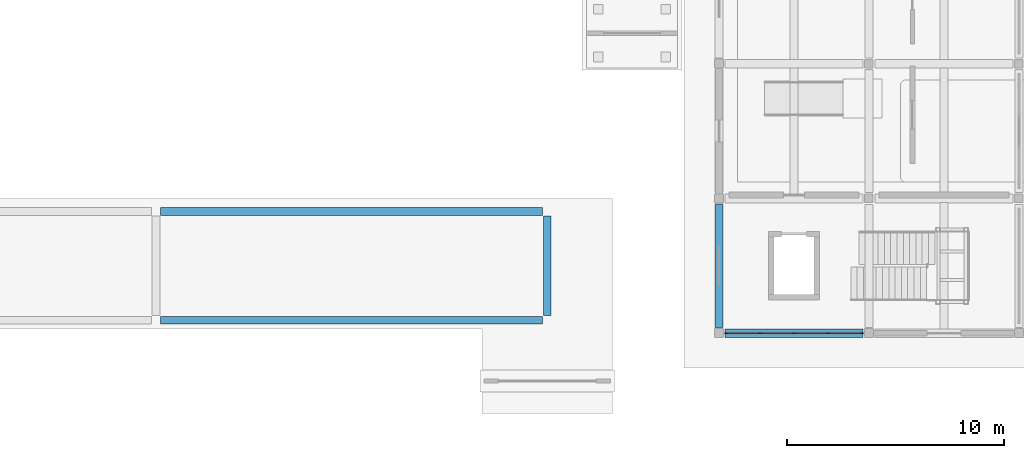
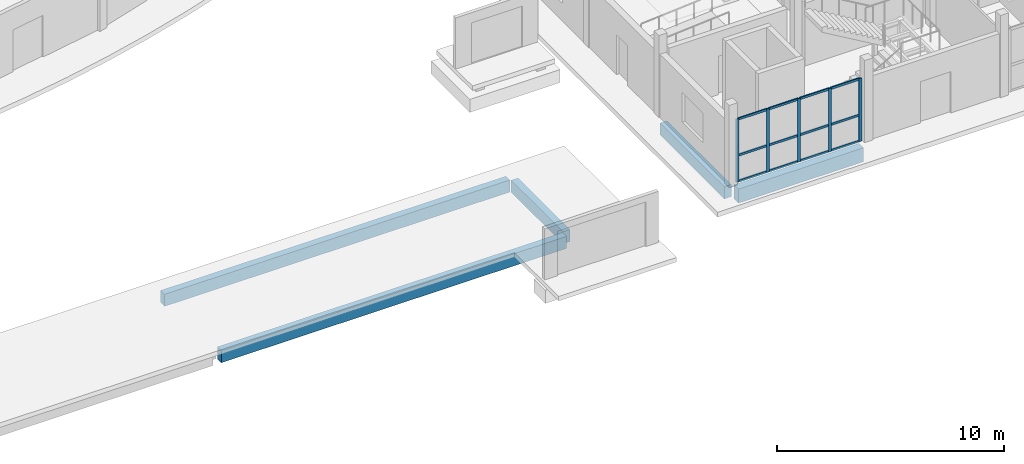
# One storey, part 30 of 92: 17 members, 5 beams, 1 element without a shape of its own.
"""IFC4 building model written with IfcOpenShell, lengths in metres."""

from ifc_helpers import new_model, si_unit, direction, frame, origin, origin_2d, place, context, subcontext, project, spatial, rectangle, extrude, material, layer, layer_set, material_profile, profile_set, type_object, element, aggregate, save


model = new_model("IFC4")

# Units and contexts
model_context = context("Model", 3, precision=1e-05, world=origin(), true_north=direction((0.0, 1.0)))
body_context = subcontext(model_context, "Body", "Model", "MODEL_VIEW")
ifc_project = project(units=[si_unit("LENGTHUNIT", "METRE"), si_unit("AREAUNIT", "SQUARE_METRE"), si_unit("VOLUMEUNIT", "CUBIC_METRE"), si_unit("PLANEANGLEUNIT", "RADIAN"), si_unit("MASSUNIT", "GRAM", prefix="KILO")], contexts=[model_context])

# Site, building, storey
site_placement = place(None, origin())
site = spatial("IfcSite", under=ifc_project, at=site_placement, CompositionType="ELEMENT")
building_placement = place(site_placement, origin())
building = spatial("IfcBuilding", under=site, at=building_placement, Name="Caldaven Crescent School", CompositionType="ELEMENT")
storey_placement = place(building_placement, origin())
storey = spatial("IfcBuildingStorey", under=building, at=storey_placement, Name="L00", CompositionType="ELEMENT", Elevation=0.0)

# Beams
ifc_material_1 = material(Name="Concrete C30/37", Category="concrete")
ifc_material_profile_1 = material_profile(ifc_material_1, rectangle(XDim=0.35009765625, YDim=0.64990234375, at=origin_2d()), Name="RC 350x650")
ifc_profile_set_1 = profile_set([ifc_material_profile_1], Name="Concrete C30/37")
beam_type_1 = type_object("IfcBeamType", Name="BM-RC35", PredefinedType="BEAM", material=ifc_profile_set_1)
beam_1_placement = place(storey_placement, frame((122.89990234375, 4.469970703125, -0.5849609375), z_axis=(0.0, 1.0, 0.0), x_axis=(-1.0, 0.0, 0.0)))
element("IfcBeam", 1, at=beam_1_placement, inside=storey, type_object=beam_type_1, Name="BMY-V3-L00-0438", PredefinedType="BEAM", context=body_context, shape_type="SweptSolid", body=[
    extrude(rectangle(XDim=0.35009765625, YDim=0.64990234375, at=origin_2d()), origin(), (0.0, 0.0, 1.0), 5.659912109375),
])
beam_2_placement = place(storey_placement, frame((115.0, 5.010009765625, -0.56494140625), z_axis=(0.0, 1.0, 0.0), x_axis=(-1.0, 0.0, 0.0)))
element("IfcBeam", 2, at=beam_2_placement, inside=storey, type_object=beam_type_1, Name="BM-LOOP-Y-L00-1837", PredefinedType="BEAM", context=body_context, shape_type="SweptSolid", body=[
    extrude(rectangle(XDim=0.35009765625, YDim=0.64990234375, at=origin_2d()), origin(), (0.0, 0.0, 1.0), 4.580078125),
])
for number, where, z_axis, x_axis, name in (
    (3, (97.2099609375, 4.800048828125, -0.56494140625), (1.0, 0.0, 0.0), (0.0, 1.0, 0.0), "BM-LOOP-X-L00-1842"),
    (4, (97.2099609375, 9.800048828125, -0.56494140625), (1.0, 0.0, 0.0), (0.0, 1.0, 0.0), "BM-LOOP-X-L00-1843"),
):
    element("IfcBeam", number, at=place(storey_placement, frame(where, z_axis=z_axis, x_axis=x_axis)), inside=storey, type_object=beam_type_1, Name=name, PredefinedType="BEAM", context=body_context, shape_type="SweptSolid", body=[
        extrude(rectangle(XDim=0.35009765625, YDim=0.64990234375, at=origin_2d()), origin(), (0.0, 0.0, 1.0), 17.580078125),
    ])
ifc_material_2 = material(Name="Concrete C35/45", Category="concrete")
ifc_material_profile_2 = material_profile(ifc_material_2, rectangle(XDim=0.39990234375, YDim=0.75, at=origin_2d()), Name="RC 400x750")
ifc_profile_set_2 = profile_set([ifc_material_profile_2], Name="Concrete C35/45")
beam_type_2 = type_object("IfcBeamType", Name="BM-RC40", PredefinedType="BEAM", material=ifc_profile_set_2)
beam_3_placement = place(storey_placement, frame((123.169921875, 4.199951171875, -0.635009765625), z_axis=(1.0, 0.0, 0.0), x_axis=(0.0, 1.0, 0.0)))
element("IfcBeam", 5, at=beam_3_placement, inside=storey, type_object=beam_type_2, Name="BMX-V3-L00-0422", PredefinedType="BEAM", context=body_context, shape_type="SweptSolid", body=[
    extrude(rectangle(XDim=0.39990234375, YDim=0.75, at=origin_2d()), origin(), (0.0, 0.0, 1.0), 6.360107421875),
])

# Curtain wall, members
ifc_material_3 = material(Name="Anodised aluminium AA 6063-T6 and low-E double glazing", Category="aluminium")
ifc_layer = layer(ifc_material_3, 0.169921875)
ifc_layer_set = layer_set([ifc_layer], Name="Anodised aluminium AA 6063-T6 and low-E double glazing")
curtain_wall_type = type_object("IfcCurtainWallType", Name="CW-SYS1", PredefinedType="NOTDEFINED", material=ifc_layer_set)
curtain_wall_placement = place(storey_placement, origin())
curtain_wall = element("IfcCurtainWall", 6, at=curtain_wall_placement, inside=storey, type_object=curtain_wall_type, Name="CW-L00-081", PredefinedType="NOTDEFINED")
ifc_material_4 = material(Name="Anodised aluminium AA 6063-T6", Category="aluminium")
ifc_material_profile_3 = material_profile(ifc_material_4, rectangle(XDim=0.06005859375, YDim=0.14990234375, at=origin_2d()), Name="CWM 60x150")
ifc_profile_set_3 = profile_set([ifc_material_profile_3], Name="Anodised aluminium AA 6063-T6")
member_type_1 = type_object("IfcMemberType", Name="CWM-T1", PredefinedType="MULLION", material=ifc_profile_set_3)
member_1_placement = place(storey_placement, frame((123.22998046875, 4.199951171875, 0.0), z_axis=(0.0, 0.0, 1.0), x_axis=(0.0, 1.0, 0.0)))
member_1 = element("IfcMember", 7, at=member_1_placement, type_object=member_type_1, Name="CW1 mullion 1", PredefinedType="MULLION", context=body_context, shape_type="SweptSolid", body=[
    extrude(rectangle(XDim=0.06005859375, YDim=0.14990234375, at=origin_2d()), origin(), (0.0, 0.0, 1.0), 3.39990234375),
])
member_2_placement = place(storey_placement, frame((124.77490234375, 4.199951171875, 0.0), z_axis=(0.0, 0.0, 1.0), x_axis=(0.0, 1.0, 0.0)))
member_2 = element("IfcMember", 8, at=member_2_placement, type_object=member_type_1, Name="CW1 mullion 2", PredefinedType="MULLION", context=body_context, shape_type="SweptSolid", body=[
    extrude(rectangle(XDim=0.06005859375, YDim=0.14990234375, at=origin_2d()), origin(), (0.0, 0.0, 1.0), 3.39990234375),
])
member_3_placement = place(storey_placement, frame((126.35009765625, 4.199951171875, 0.0), z_axis=(0.0, 0.0, 1.0), x_axis=(0.0, 1.0, 0.0)))
member_3 = element("IfcMember", 9, at=member_3_placement, type_object=member_type_1, Name="CW1 mullion 3", PredefinedType="MULLION", context=body_context, shape_type="SweptSolid", body=[
    extrude(rectangle(XDim=0.06005859375, YDim=0.14990234375, at=origin_2d()), origin(), (0.0, 0.0, 1.0), 3.39990234375),
])
member_4_placement = place(storey_placement, frame((127.925048828125, 4.199951171875, 0.0), z_axis=(0.0, 0.0, 1.0), x_axis=(0.0, 1.0, 0.0)))
member_4 = element("IfcMember", 10, at=member_4_placement, type_object=member_type_1, Name="CW1 mullion 4", PredefinedType="MULLION", context=body_context, shape_type="SweptSolid", body=[
    extrude(rectangle(XDim=0.06005859375, YDim=0.14990234375, at=origin_2d()), origin(), (0.0, 0.0, 1.0), 3.39990234375),
])
member_5_placement = place(storey_placement, frame((129.469970703125, 4.199951171875, 0.0), z_axis=(0.0, 0.0, 1.0), x_axis=(0.0, 1.0, 0.0)))
member_5 = element("IfcMember", 11, at=member_5_placement, type_object=member_type_1, Name="CW1 mullion 5", PredefinedType="MULLION", context=body_context, shape_type="SweptSolid", body=[
    extrude(rectangle(XDim=0.06005859375, YDim=0.14990234375, at=origin_2d()), origin(), (0.0, 0.0, 1.0), 3.39990234375),
])
ifc_material_profile_4 = material_profile(ifc_material_4, rectangle(XDim=0.06005859375, YDim=0.1201171875, at=origin_2d()), Name="CWT 60x120")
ifc_profile_set_4 = profile_set([ifc_material_profile_4], Name="Anodised aluminium AA 6063-T6")
member_type_2 = type_object("IfcMemberType", Name="CWT-T1", PredefinedType="USERDEFINED", material=ifc_profile_set_4)
member_6_placement = place(storey_placement, frame((123.260009765625, 4.199951171875, 0.030029296875), z_axis=(1.0, 0.0, 0.0), x_axis=(0.0, 1.0, 0.0)))
member_6 = element("IfcMember", 12, at=member_6_placement, type_object=member_type_2, Name="CW1 transom 1.1", ObjectType="TRANSOM", PredefinedType="USERDEFINED", context=body_context, shape_type="SweptSolid", body=[
    extrude(rectangle(XDim=0.06005859375, YDim=0.1201171875, at=origin_2d()), origin(), (0.0, 0.0, 1.0), 1.485107421875),
])
member_7_placement = place(storey_placement, frame((123.260009765625, 4.199951171875, 1.427978515625), z_axis=(1.0, 0.0, 0.0), x_axis=(0.0, 1.0, 0.0)))
member_7 = element("IfcMember", 13, at=member_7_placement, type_object=member_type_2, Name="CW1 transom 1.2", ObjectType="TRANSOM", PredefinedType="USERDEFINED", context=body_context, shape_type="SweptSolid", body=[
    extrude(rectangle(XDim=0.06005859375, YDim=0.1201171875, at=origin_2d()), origin(), (0.0, 0.0, 1.0), 1.485107421875),
])
member_8_placement = place(storey_placement, frame((123.260009765625, 4.199951171875, 3.3701171875), z_axis=(1.0, 0.0, 0.0), x_axis=(0.0, 1.0, 0.0)))
member_8 = element("IfcMember", 14, at=member_8_placement, type_object=member_type_2, Name="CW1 transom 1.3", ObjectType="TRANSOM", PredefinedType="USERDEFINED", context=body_context, shape_type="SweptSolid", body=[
    extrude(rectangle(XDim=0.06005859375, YDim=0.1201171875, at=origin_2d()), origin(), (0.0, 0.0, 1.0), 1.485107421875),
])
member_9_placement = place(storey_placement, frame((124.804931640625, 4.199951171875, 0.030029296875), z_axis=(1.0, 0.0, 0.0), x_axis=(0.0, 1.0, 0.0)))
member_9 = element("IfcMember", 15, at=member_9_placement, type_object=member_type_2, Name="CW1 transom 2.1", ObjectType="TRANSOM", PredefinedType="USERDEFINED", context=body_context, shape_type="SweptSolid", body=[
    extrude(rectangle(XDim=0.06005859375, YDim=0.1201171875, at=origin_2d()), origin(), (0.0, 0.0, 1.0), 1.51513671875),
])
member_10_placement = place(storey_placement, frame((124.804931640625, 4.199951171875, 1.427978515625), z_axis=(1.0, 0.0, 0.0), x_axis=(0.0, 1.0, 0.0)))
member_10 = element("IfcMember", 16, at=member_10_placement, type_object=member_type_2, Name="CW1 transom 2.2", ObjectType="TRANSOM", PredefinedType="USERDEFINED", context=body_context, shape_type="SweptSolid", body=[
    extrude(rectangle(XDim=0.06005859375, YDim=0.1201171875, at=origin_2d()), origin(), (0.0, 0.0, 1.0), 1.51513671875),
])
member_11_placement = place(storey_placement, frame((124.804931640625, 4.199951171875, 3.3701171875), z_axis=(1.0, 0.0, 0.0), x_axis=(0.0, 1.0, 0.0)))
member_11 = element("IfcMember", 17, at=member_11_placement, type_object=member_type_2, Name="CW1 transom 2.3", ObjectType="TRANSOM", PredefinedType="USERDEFINED", context=body_context, shape_type="SweptSolid", body=[
    extrude(rectangle(XDim=0.06005859375, YDim=0.1201171875, at=origin_2d()), origin(), (0.0, 0.0, 1.0), 1.51513671875),
])
member_12_placement = place(storey_placement, frame((126.3798828125, 4.199951171875, 0.030029296875), z_axis=(1.0, 0.0, 0.0), x_axis=(0.0, 1.0, 0.0)))
member_12 = element("IfcMember", 18, at=member_12_placement, type_object=member_type_2, Name="CW1 transom 3.1", ObjectType="TRANSOM", PredefinedType="USERDEFINED", context=body_context, shape_type="SweptSolid", body=[
    extrude(rectangle(XDim=0.06005859375, YDim=0.1201171875, at=origin_2d()), origin(), (0.0, 0.0, 1.0), 1.51513671875),
])
member_13_placement = place(storey_placement, frame((126.3798828125, 4.199951171875, 1.427978515625), z_axis=(1.0, 0.0, 0.0), x_axis=(0.0, 1.0, 0.0)))
member_13 = element("IfcMember", 19, at=member_13_placement, type_object=member_type_2, Name="CW1 transom 3.2", ObjectType="TRANSOM", PredefinedType="USERDEFINED", context=body_context, shape_type="SweptSolid", body=[
    extrude(rectangle(XDim=0.06005859375, YDim=0.1201171875, at=origin_2d()), origin(), (0.0, 0.0, 1.0), 1.51513671875),
])
member_14_placement = place(storey_placement, frame((126.3798828125, 4.199951171875, 3.3701171875), z_axis=(1.0, 0.0, 0.0), x_axis=(0.0, 1.0, 0.0)))
member_14 = element("IfcMember", 20, at=member_14_placement, type_object=member_type_2, Name="CW1 transom 3.3", ObjectType="TRANSOM", PredefinedType="USERDEFINED", context=body_context, shape_type="SweptSolid", body=[
    extrude(rectangle(XDim=0.06005859375, YDim=0.1201171875, at=origin_2d()), origin(), (0.0, 0.0, 1.0), 1.51513671875),
])
member_15_placement = place(storey_placement, frame((127.955078125, 4.199951171875, 0.030029296875), z_axis=(1.0, 0.0, 0.0), x_axis=(0.0, 1.0, 0.0)))
member_15 = element("IfcMember", 21, at=member_15_placement, type_object=member_type_2, Name="CW1 transom 4.1", ObjectType="TRANSOM", PredefinedType="USERDEFINED", context=body_context, shape_type="SweptSolid", body=[
    extrude(rectangle(XDim=0.06005859375, YDim=0.1201171875, at=origin_2d()), origin(), (0.0, 0.0, 1.0), 1.48486328125),
])
member_16_placement = place(storey_placement, frame((127.955078125, 4.199951171875, 1.427978515625), z_axis=(1.0, 0.0, 0.0), x_axis=(0.0, 1.0, 0.0)))
member_16 = element("IfcMember", 22, at=member_16_placement, type_object=member_type_2, Name="CW1 transom 4.2", ObjectType="TRANSOM", PredefinedType="USERDEFINED", context=body_context, shape_type="SweptSolid", body=[
    extrude(rectangle(XDim=0.06005859375, YDim=0.1201171875, at=origin_2d()), origin(), (0.0, 0.0, 1.0), 1.48486328125),
])
member_17_placement = place(storey_placement, frame((127.955078125, 4.199951171875, 3.3701171875), z_axis=(1.0, 0.0, 0.0), x_axis=(0.0, 1.0, 0.0)))
member_17 = element("IfcMember", 23, at=member_17_placement, type_object=member_type_2, Name="CW1 transom 4.3", ObjectType="TRANSOM", PredefinedType="USERDEFINED", context=body_context, shape_type="SweptSolid", body=[
    extrude(rectangle(XDim=0.06005859375, YDim=0.1201171875, at=origin_2d()), origin(), (0.0, 0.0, 1.0), 1.48486328125),
])
aggregate(curtain_wall, [member_1, member_2, member_3, member_4, member_5, member_6, member_7, member_8, member_9, member_10, member_11, member_12, member_13, member_14, member_15, member_16, member_17])

save(model, "model.ifc")
